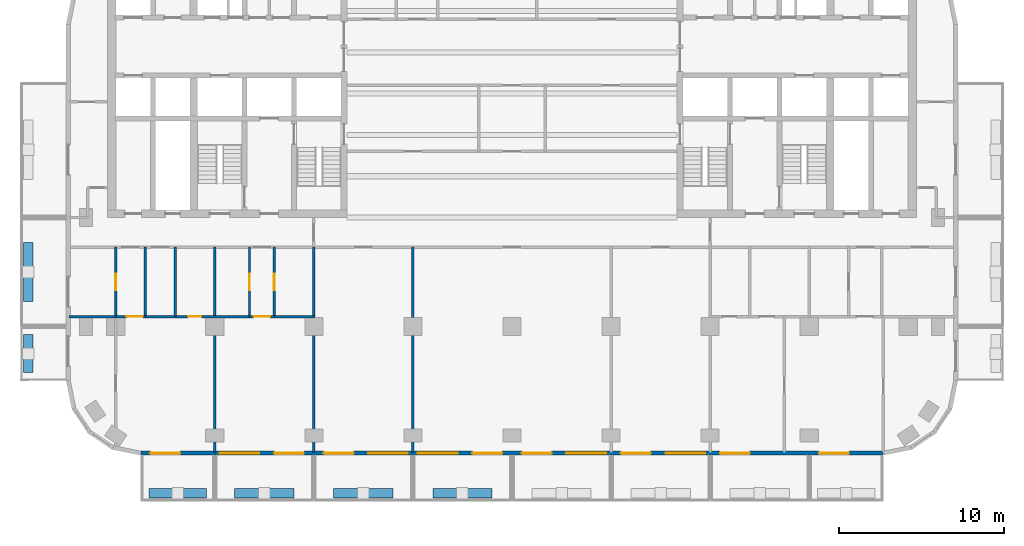
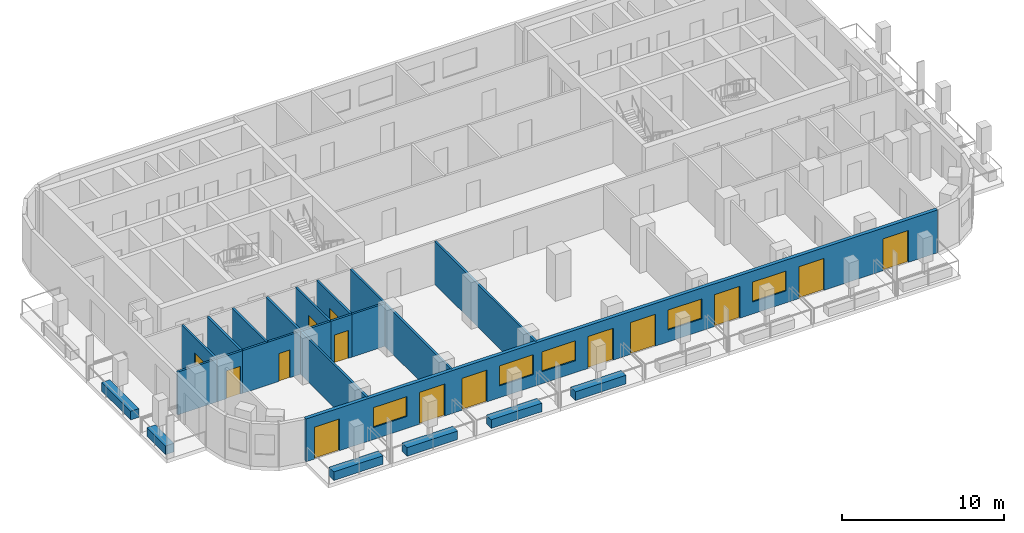
# One storey, part 2 of 11: 20 walls, 14 doors, 5 windows, 19 openings.
"""IFC4 building model written with IfcOpenShell, lengths in metres."""

from ifc_helpers import new_model, si_unit, direction, frame, frame_2d, origin, place, context, subcontext, project, spatial, rectangle, extrude, material, layer, layer_set, type_object, element, fill, save


model = new_model("IFC4")

# Units and contexts
model_context = context("Model", 3, precision=1e-05, world=origin(), true_north=direction((0.0, 1.0)))
body_context = subcontext(model_context, "Body", "Model", "MODEL_VIEW")
ifc_project = project(units=[si_unit("LENGTHUNIT", "METRE"), si_unit("AREAUNIT", "SQUARE_METRE"), si_unit("VOLUMEUNIT", "CUBIC_METRE"), si_unit("PLANEANGLEUNIT", "RADIAN"), si_unit("MASSUNIT", "GRAM", prefix="KILO")], contexts=[model_context])

# Site, building, storey
site_placement = place(None, origin())
site = spatial("IfcSite", under=ifc_project, at=site_placement, CompositionType="ELEMENT")
building_placement = place(site_placement, origin())
building = spatial("IfcBuilding", under=site, at=building_placement, Name="Torana Hotel and Residences", CompositionType="ELEMENT")
storey_placement = place(building_placement, frame((0.0, 0.0, 215.10009765625)))
storey = spatial("IfcBuildingStorey", under=building, at=storey_placement, Name="L56", CompositionType="ELEMENT", Elevation=215.10009765625)

# Wall, openings, doors, windows
ifc_material_1 = material(Name="Black aluminium composite panel", Category="aluminium")
ifc_layer_1 = layer(ifc_material_1, 0.00390625, Name="Cladding", Category="cladding")
ifc_material_2 = material(Name="Ventilated air cavity")
ifc_layer_2 = layer(ifc_material_2, 0.0400390625, Name="Ventilated cavity", Category="cavity")
ifc_material_3 = material(Name="Mineral wool insulation")
ifc_layer_3 = layer(ifc_material_3, 0.090087890625, Name="Insulation", Category="insulation")
ifc_material_4 = material(Name="Steel S280GD", Category="steel")
ifc_layer_4 = layer(ifc_material_4, 0.092041015625, Name="Steel stud frame", Category="structure")
ifc_material_5 = material(Name="Fire rated plasterboard")
ifc_layer_5 = layer(ifc_material_5, 0.011962890625, Name="Inner board", Category="finish")
ifc_layer_6 = layer(ifc_material_5, 0.011962890625, Name="Second board", Category="finish")
ifc_layer_set_1 = layer_set([ifc_layer_1, ifc_layer_2, ifc_layer_3, ifc_layer_4, ifc_layer_5, ifc_layer_6], Name="EW1 EXTERNAL WALL BLACK METAL CLAD 250")
wall_type_1 = type_object("IfcWallType", Name="EW1 EXTERNAL WALL BLACK METAL CLAD 250", PredefinedType="SOLIDWALL", material=ifc_layer_set_1)
wall_1_placement = place(storey_placement, frame((-22.475341796875, -29.27490234375, 0.0), z_axis=(0.0, 0.0, 1.0), x_axis=(1.0, 0.0, 0.0)))
wall_1 = element("IfcWall", 1, at=wall_1_placement, inside=storey, type_object=wall_type_1, Name="External wall L56 e0.14", PredefinedType="SOLIDWALL", context=body_context, shape_type="SweptSolid", body=[
    extrude(rectangle(XDim=44.95068359375, YDim=0.25, at=frame_2d((22.475341796875, 0.0))), origin(), (0.0, 0.0, 1.0), 3.219970703125),
])
opening_1_placement = place(wall_1_placement, frame((0.575439453125, 0.0, 0.0)))
opening_1 = element("IfcOpeningElement", 2, at=opening_1_placement, cuts=wall_1, Name="Opening L56-E01", PredefinedType="OPENING", context=body_context, shape_type="SweptSolid", body=[
    extrude(rectangle(XDim=1.800048828125, YDim=2.39990234375, at=frame_2d((0.89990234375, 1.199951171875))), frame((0.0, 0.135009765625, 0.0), z_axis=(0.0, -1.0, 0.0), x_axis=(1.0, 0.0, 0.0)), (0.0, 0.0, 1.0), 0.27001953125),
])
opening_2_placement = place(wall_1_placement, frame((4.775390625, 0.0, 0.89990234375)))
opening_2 = element("IfcOpeningElement", 3, at=opening_2_placement, cuts=wall_1, Name="Opening W3", PredefinedType="OPENING", context=body_context, shape_type="SweptSolid", body=[
    extrude(rectangle(XDim=2.39990234375, YDim=1.5, at=frame_2d((1.199951171875, 0.75))), frame((0.0, 0.135009765625, 0.0), z_axis=(0.0, -1.0, 0.0), x_axis=(1.0, 0.0, 0.0)), (0.0, 0.0, 1.0), 0.27001953125),
])
opening_3_placement = place(wall_1_placement, frame((8.075439453125, 0.0, 0.0)))
opening_3 = element("IfcOpeningElement", 4, at=opening_3_placement, cuts=wall_1, Name="Opening L56-E02", PredefinedType="OPENING", context=body_context, shape_type="SweptSolid", body=[
    extrude(rectangle(XDim=1.800048828125, YDim=2.39990234375, at=frame_2d((0.89990234375, 1.199951171875))), frame((0.0, 0.135009765625, 0.0), z_axis=(0.0, -1.0, 0.0), x_axis=(1.0, 0.0, 0.0)), (0.0, 0.0, 1.0), 0.27001953125),
])
opening_4_placement = place(wall_1_placement, frame((11.075439453125, 0.0, 0.0)))
opening_4 = element("IfcOpeningElement", 5, at=opening_4_placement, cuts=wall_1, Name="Opening L56-E03", PredefinedType="OPENING", context=body_context, shape_type="SweptSolid", body=[
    extrude(rectangle(XDim=1.800048828125, YDim=2.39990234375, at=frame_2d((0.89990234375, 1.199951171875))), frame((0.0, 0.135009765625, 0.0), z_axis=(0.0, -1.0, 0.0), x_axis=(1.0, 0.0, 0.0)), (0.0, 0.0, 1.0), 0.27001953125),
])
opening_5_placement = place(wall_1_placement, frame((13.775390625, 0.0, 0.89990234375)))
opening_5 = element("IfcOpeningElement", 6, at=opening_5_placement, cuts=wall_1, Name="Opening W3", PredefinedType="OPENING", context=body_context, shape_type="SweptSolid", body=[
    extrude(rectangle(XDim=2.39990234375, YDim=1.5, at=frame_2d((1.199951171875, 0.75))), frame((0.0, 0.135009765625, 0.0), z_axis=(0.0, -1.0, 0.0), x_axis=(1.0, 0.0, 0.0)), (0.0, 0.0, 1.0), 0.27001953125),
])
opening_6_placement = place(wall_1_placement, frame((16.775390625, 0.0, 0.89990234375)))
opening_6 = element("IfcOpeningElement", 7, at=opening_6_placement, cuts=wall_1, Name="Opening W3", PredefinedType="OPENING", context=body_context, shape_type="SweptSolid", body=[
    extrude(rectangle(XDim=2.39990234375, YDim=1.5, at=frame_2d((1.199951171875, 0.75))), frame((0.0, 0.135009765625, 0.0), z_axis=(0.0, -1.0, 0.0), x_axis=(1.0, 0.0, 0.0)), (0.0, 0.0, 1.0), 0.27001953125),
])
opening_7_placement = place(wall_1_placement, frame((20.075439453125, 0.0, 0.0)))
opening_7 = element("IfcOpeningElement", 8, at=opening_7_placement, cuts=wall_1, Name="Opening L56-E04", PredefinedType="OPENING", context=body_context, shape_type="SweptSolid", body=[
    extrude(rectangle(XDim=1.800048828125, YDim=2.39990234375, at=frame_2d((0.89990234375, 1.199951171875))), frame((0.0, 0.135009765625, 0.0), z_axis=(0.0, -1.0, 0.0), x_axis=(1.0, 0.0, 0.0)), (0.0, 0.0, 1.0), 0.27001953125),
])
opening_8_placement = place(wall_1_placement, frame((23.075439453125, 0.0, 0.0)))
opening_8 = element("IfcOpeningElement", 9, at=opening_8_placement, cuts=wall_1, Name="Opening L56-E05", PredefinedType="OPENING", context=body_context, shape_type="SweptSolid", body=[
    extrude(rectangle(XDim=1.800048828125, YDim=2.39990234375, at=frame_2d((0.89990234375, 1.199951171875))), frame((0.0, 0.135009765625, 0.0), z_axis=(0.0, -1.0, 0.0), x_axis=(1.0, 0.0, 0.0)), (0.0, 0.0, 1.0), 0.27001953125),
])
opening_9_placement = place(wall_1_placement, frame((25.775390625, 0.0, 0.89990234375)))
opening_9 = element("IfcOpeningElement", 10, at=opening_9_placement, cuts=wall_1, Name="Opening W3", PredefinedType="OPENING", context=body_context, shape_type="SweptSolid", body=[
    extrude(rectangle(XDim=2.39990234375, YDim=1.5, at=frame_2d((1.199951171875, 0.75))), frame((0.0, 0.135009765625, 0.0), z_axis=(0.0, -1.0, 0.0), x_axis=(1.0, 0.0, 0.0)), (0.0, 0.0, 1.0), 0.27001953125),
])
opening_10_placement = place(wall_1_placement, frame((29.075439453125, 0.0, 0.0)))
opening_10 = element("IfcOpeningElement", 11, at=opening_10_placement, cuts=wall_1, Name="Opening L56-E06", PredefinedType="OPENING", context=body_context, shape_type="SweptSolid", body=[
    extrude(rectangle(XDim=1.800048828125, YDim=2.39990234375, at=frame_2d((0.89990234375, 1.199951171875))), frame((0.0, 0.135009765625, 0.0), z_axis=(0.0, -1.0, 0.0), x_axis=(1.0, 0.0, 0.0)), (0.0, 0.0, 1.0), 0.27001953125),
])
opening_11_placement = place(wall_1_placement, frame((31.775390625, 0.0, 0.89990234375)))
opening_11 = element("IfcOpeningElement", 12, at=opening_11_placement, cuts=wall_1, Name="Opening W3", PredefinedType="OPENING", context=body_context, shape_type="SweptSolid", body=[
    extrude(rectangle(XDim=2.39990234375, YDim=1.5, at=frame_2d((1.199951171875, 0.75))), frame((0.0, 0.135009765625, 0.0), z_axis=(0.0, -1.0, 0.0), x_axis=(1.0, 0.0, 0.0)), (0.0, 0.0, 1.0), 0.27001953125),
])
opening_12_placement = place(wall_1_placement, frame((35.075439453125, 0.0, 0.0)))
opening_12 = element("IfcOpeningElement", 13, at=opening_12_placement, cuts=wall_1, Name="Opening L56-E07", PredefinedType="OPENING", context=body_context, shape_type="SweptSolid", body=[
    extrude(rectangle(XDim=1.800048828125, YDim=2.39990234375, at=frame_2d((0.89990234375, 1.199951171875))), frame((0.0, 0.135009765625, 0.0), z_axis=(0.0, -1.0, 0.0), x_axis=(1.0, 0.0, 0.0)), (0.0, 0.0, 1.0), 0.27001953125),
])
opening_13_placement = place(wall_1_placement, frame((41.075439453125, 0.0, 0.0)))
opening_13 = element("IfcOpeningElement", 14, at=opening_13_placement, cuts=wall_1, Name="Opening L56-E08", PredefinedType="OPENING", context=body_context, shape_type="SweptSolid", body=[
    extrude(rectangle(XDim=1.800048828125, YDim=2.39990234375, at=frame_2d((0.89990234375, 1.199951171875))), frame((0.0, 0.135009765625, 0.0), z_axis=(0.0, -1.0, 0.0), x_axis=(1.0, 0.0, 0.0)), (0.0, 0.0, 1.0), 0.27001953125),
])
ifc_material_6 = material(Name="Dark glass in black aluminium frame", Category="aluminium")
door_type_1 = type_object("IfcDoorType", Name="DB1 BALCONY DOOR 1800x2400", OperationType="DOUBLE_DOOR_SINGLE_SWING", PredefinedType="DOOR", material=ifc_material_6)
door_1_placement = place(opening_1_placement, origin())
door_1 = element("IfcDoor", 15, at=door_1_placement, inside=storey, type_object=door_type_1, Name="Balcony door L56", OperationType="DOUBLE_DOOR_SINGLE_SWING", OverallHeight=2.39990234375, OverallWidth=1.800048828125, PredefinedType="DOOR", context=body_context, shape_type="SweptSolid", body=[
    extrude(rectangle(XDim=1.800048828125, YDim=2.39990234375, at=frame_2d((0.89990234375, 1.199951171875))), frame((0.0, 0.02490234375, 0.0), z_axis=(0.0, -1.0, 0.0), x_axis=(1.0, 0.0, 0.0)), (0.0, 0.0, 1.0), 0.050048828125),
])
fill(opening_1, door_1)
door_2_placement = place(opening_3_placement, origin())
door_2 = element("IfcDoor", 16, at=door_2_placement, inside=storey, type_object=door_type_1, Name="Balcony door L56", OperationType="DOUBLE_DOOR_SINGLE_SWING", OverallHeight=2.39990234375, OverallWidth=1.800048828125, PredefinedType="DOOR", context=body_context, shape_type="SweptSolid", body=[
    extrude(rectangle(XDim=1.800048828125, YDim=2.39990234375, at=frame_2d((0.89990234375, 1.199951171875))), frame((0.0, 0.02490234375, 0.0), z_axis=(0.0, -1.0, 0.0), x_axis=(1.0, 0.0, 0.0)), (0.0, 0.0, 1.0), 0.050048828125),
])
fill(opening_3, door_2)
door_3_placement = place(opening_4_placement, origin())
door_3 = element("IfcDoor", 17, at=door_3_placement, inside=storey, type_object=door_type_1, Name="Balcony door L56", OperationType="DOUBLE_DOOR_SINGLE_SWING", OverallHeight=2.39990234375, OverallWidth=1.800048828125, PredefinedType="DOOR", context=body_context, shape_type="SweptSolid", body=[
    extrude(rectangle(XDim=1.800048828125, YDim=2.39990234375, at=frame_2d((0.89990234375, 1.199951171875))), frame((0.0, 0.02490234375, 0.0), z_axis=(0.0, -1.0, 0.0), x_axis=(1.0, 0.0, 0.0)), (0.0, 0.0, 1.0), 0.050048828125),
])
fill(opening_4, door_3)
door_4_placement = place(opening_7_placement, origin())
door_4 = element("IfcDoor", 18, at=door_4_placement, inside=storey, type_object=door_type_1, Name="Balcony door L56", OperationType="DOUBLE_DOOR_SINGLE_SWING", OverallHeight=2.39990234375, OverallWidth=1.800048828125, PredefinedType="DOOR", context=body_context, shape_type="SweptSolid", body=[
    extrude(rectangle(XDim=1.800048828125, YDim=2.39990234375, at=frame_2d((0.89990234375, 1.199951171875))), frame((0.0, 0.02490234375, 0.0), z_axis=(0.0, -1.0, 0.0), x_axis=(1.0, 0.0, 0.0)), (0.0, 0.0, 1.0), 0.050048828125),
])
fill(opening_7, door_4)
door_5_placement = place(opening_8_placement, origin())
door_5 = element("IfcDoor", 19, at=door_5_placement, inside=storey, type_object=door_type_1, Name="Balcony door L56", OperationType="DOUBLE_DOOR_SINGLE_SWING", OverallHeight=2.39990234375, OverallWidth=1.800048828125, PredefinedType="DOOR", context=body_context, shape_type="SweptSolid", body=[
    extrude(rectangle(XDim=1.800048828125, YDim=2.39990234375, at=frame_2d((0.89990234375, 1.199951171875))), frame((0.0, 0.02490234375, 0.0), z_axis=(0.0, -1.0, 0.0), x_axis=(1.0, 0.0, 0.0)), (0.0, 0.0, 1.0), 0.050048828125),
])
fill(opening_8, door_5)
door_6_placement = place(opening_10_placement, origin())
door_6 = element("IfcDoor", 20, at=door_6_placement, inside=storey, type_object=door_type_1, Name="Balcony door L56", OperationType="DOUBLE_DOOR_SINGLE_SWING", OverallHeight=2.39990234375, OverallWidth=1.800048828125, PredefinedType="DOOR", context=body_context, shape_type="SweptSolid", body=[
    extrude(rectangle(XDim=1.800048828125, YDim=2.39990234375, at=frame_2d((0.89990234375, 1.199951171875))), frame((0.0, 0.02490234375, 0.0), z_axis=(0.0, -1.0, 0.0), x_axis=(1.0, 0.0, 0.0)), (0.0, 0.0, 1.0), 0.050048828125),
])
fill(opening_10, door_6)
door_7_placement = place(opening_12_placement, origin())
door_7 = element("IfcDoor", 21, at=door_7_placement, inside=storey, type_object=door_type_1, Name="Balcony door L56", OperationType="DOUBLE_DOOR_SINGLE_SWING", OverallHeight=2.39990234375, OverallWidth=1.800048828125, PredefinedType="DOOR", context=body_context, shape_type="SweptSolid", body=[
    extrude(rectangle(XDim=1.800048828125, YDim=2.39990234375, at=frame_2d((0.89990234375, 1.199951171875))), frame((0.0, 0.02490234375, 0.0), z_axis=(0.0, -1.0, 0.0), x_axis=(1.0, 0.0, 0.0)), (0.0, 0.0, 1.0), 0.050048828125),
])
fill(opening_12, door_7)
door_8_placement = place(opening_13_placement, origin())
door_8 = element("IfcDoor", 22, at=door_8_placement, inside=storey, type_object=door_type_1, Name="Balcony door L56", OperationType="DOUBLE_DOOR_SINGLE_SWING", OverallHeight=2.39990234375, OverallWidth=1.800048828125, PredefinedType="DOOR", context=body_context, shape_type="SweptSolid", body=[
    extrude(rectangle(XDim=1.800048828125, YDim=2.39990234375, at=frame_2d((0.89990234375, 1.199951171875))), frame((0.0, 0.02490234375, 0.0), z_axis=(0.0, -1.0, 0.0), x_axis=(1.0, 0.0, 0.0)), (0.0, 0.0, 1.0), 0.050048828125),
])
fill(opening_13, door_8)
ifc_material_7 = material(Name="Dark glass in black aluminium frame", Category="aluminium")
window_type = type_object("IfcWindowType", Name="W3 RESIDENCE WINDOW 2400x1500", PartitioningType="SINGLE_PANEL", PredefinedType="WINDOW", material=ifc_material_7)
window_1_placement = place(opening_2_placement, origin())
window_1 = element("IfcWindow", 23, at=window_1_placement, inside=storey, type_object=window_type, Name="Window L56", OverallHeight=1.5, OverallWidth=2.39990234375, PartitioningType="SINGLE_PANEL", PredefinedType="WINDOW", context=body_context, shape_type="SweptSolid", body=[
    extrude(rectangle(XDim=2.39990234375, YDim=1.5, at=frame_2d((1.199951171875, 0.75))), frame((0.0, 0.030029296875, 0.0), z_axis=(0.0, -1.0, 0.0), x_axis=(1.0, 0.0, 0.0)), (0.0, 0.0, 1.0), 0.06005859375),
])
fill(opening_2, window_1)
window_2_placement = place(opening_5_placement, origin())
window_2 = element("IfcWindow", 24, at=window_2_placement, inside=storey, type_object=window_type, Name="Window L56", OverallHeight=1.5, OverallWidth=2.39990234375, PartitioningType="SINGLE_PANEL", PredefinedType="WINDOW", context=body_context, shape_type="SweptSolid", body=[
    extrude(rectangle(XDim=2.39990234375, YDim=1.5, at=frame_2d((1.199951171875, 0.75))), frame((0.0, 0.030029296875, 0.0), z_axis=(0.0, -1.0, 0.0), x_axis=(1.0, 0.0, 0.0)), (0.0, 0.0, 1.0), 0.06005859375),
])
fill(opening_5, window_2)
window_3_placement = place(opening_6_placement, origin())
window_3 = element("IfcWindow", 25, at=window_3_placement, inside=storey, type_object=window_type, Name="Window L56", OverallHeight=1.5, OverallWidth=2.39990234375, PartitioningType="SINGLE_PANEL", PredefinedType="WINDOW", context=body_context, shape_type="SweptSolid", body=[
    extrude(rectangle(XDim=2.39990234375, YDim=1.5, at=frame_2d((1.199951171875, 0.75))), frame((0.0, 0.030029296875, 0.0), z_axis=(0.0, -1.0, 0.0), x_axis=(1.0, 0.0, 0.0)), (0.0, 0.0, 1.0), 0.06005859375),
])
fill(opening_6, window_3)
window_4_placement = place(opening_9_placement, origin())
window_4 = element("IfcWindow", 26, at=window_4_placement, inside=storey, type_object=window_type, Name="Window L56", OverallHeight=1.5, OverallWidth=2.39990234375, PartitioningType="SINGLE_PANEL", PredefinedType="WINDOW", context=body_context, shape_type="SweptSolid", body=[
    extrude(rectangle(XDim=2.39990234375, YDim=1.5, at=frame_2d((1.199951171875, 0.75))), frame((0.0, 0.030029296875, 0.0), z_axis=(0.0, -1.0, 0.0), x_axis=(1.0, 0.0, 0.0)), (0.0, 0.0, 1.0), 0.06005859375),
])
fill(opening_9, window_4)
window_5_placement = place(opening_11_placement, origin())
window_5 = element("IfcWindow", 27, at=window_5_placement, inside=storey, type_object=window_type, Name="Window L56", OverallHeight=1.5, OverallWidth=2.39990234375, PartitioningType="SINGLE_PANEL", PredefinedType="WINDOW", context=body_context, shape_type="SweptSolid", body=[
    extrude(rectangle(XDim=2.39990234375, YDim=1.5, at=frame_2d((1.199951171875, 0.75))), frame((0.0, 0.030029296875, 0.0), z_axis=(0.0, -1.0, 0.0), x_axis=(1.0, 0.0, 0.0)), (0.0, 0.0, 1.0), 0.06005859375),
])
fill(opening_11, window_5)

# Wall, opening, door
ifc_material_8 = material(Name="Gypsum plaster")
ifc_layer_7 = layer(ifc_material_8, 0.014892578125, Name="Plaster", Category="finish")
ifc_material_9 = material(Name="Concrete blockwork", Category="masonry")
ifc_layer_8 = layer(ifc_material_9, 0.1201171875, Name="Blockwork", Category="structure")
ifc_layer_9 = layer(ifc_material_8, 0.014892578125, Name="Plaster", Category="finish")
ifc_layer_set_2 = layer_set([ifc_layer_7, ifc_layer_8, ifc_layer_9], Name="FIRE PARTITION 150 BLOCKWORK")
wall_type_2 = type_object("IfcWallType", Name="FIRE PARTITION 150 BLOCKWORK", PredefinedType="PARTITIONING", material=ifc_layer_set_2)
wall_2_placement = place(storey_placement, frame((-14.39990234375, -21.0, 0.0), z_axis=(0.0, 0.0, 1.0), x_axis=(0.0, 1.0, 0.0)))
wall_2 = element("IfcWall", 28, at=wall_2_placement, inside=storey, type_object=wall_type_2, Name="Partition L56", PredefinedType="PARTITIONING", context=body_context, shape_type="SweptSolid", body=[
    extrude(rectangle(XDim=4.199951171875, YDim=0.14990234375, at=frame_2d((2.10009765625, 0.0))), origin(), (0.0, 0.0, 1.0), 3.219970703125),
])
opening_14_placement = place(wall_2_placement, frame((1.60009765625, 0.0, 0.0)))
opening_14 = element("IfcOpeningElement", 29, at=opening_14_placement, cuts=wall_2, Name="Opening L56-52", PredefinedType="OPENING", context=body_context, shape_type="SweptSolid", body=[
    extrude(rectangle(XDim=1.0, YDim=2.10009765625, at=frame_2d((0.5, 1.050048828125))), frame((0.0, 0.0849609375, 0.0), z_axis=(0.0, -1.0, 0.0), x_axis=(1.0, 0.0, 0.0)), (0.0, 0.0, 1.0), 0.169921875),
])
ifc_material_10 = material(Name="Steel S235", Category="steel")
door_type_2 = type_object("IfcDoorType", Name="ENTRY FIRE DOOR D6 1000x2100", OperationType="SINGLE_SWING_LEFT", PredefinedType="DOOR", material=ifc_material_10)
door_9_placement = place(opening_14_placement, frame((0.5, 0.0, 0.0), z_axis=(0.0, 0.0, 1.0), x_axis=(-1.0, 0.0, 0.0)))
door_9 = element("IfcDoor", 30, at=door_9_placement, inside=storey, type_object=door_type_2, Name="Door L56", OperationType="SINGLE_SWING_LEFT", OverallHeight=2.10009765625, OverallWidth=1.0, PredefinedType="DOOR", context=body_context, shape_type="SweptSolid", body=[
    extrude(rectangle(XDim=1.0, YDim=2.10009765625, at=frame_2d((0.0, 1.050048828125))), frame((0.0, -0.02490234375, 0.0), z_axis=(0.0, 1.0, 0.0), x_axis=(-1.0, 0.0, 0.0)), (0.0, 0.0, 1.0), 0.050048828125),
])
fill(opening_14, door_9)

wall_3_placement = place(storey_placement, frame((-15.89990234375, -21.0, 0.0), z_axis=(0.0, 0.0, 1.0), x_axis=(0.0, 1.0, 0.0)))
wall_3 = element("IfcWall", 31, at=wall_3_placement, inside=storey, type_object=wall_type_2, Name="Partition L56", PredefinedType="PARTITIONING", context=body_context, shape_type="SweptSolid", body=[
    extrude(rectangle(XDim=4.199951171875, YDim=0.14990234375, at=frame_2d((2.10009765625, 0.0))), origin(), (0.0, 0.0, 1.0), 3.219970703125),
])
opening_15_placement = place(wall_3_placement, frame((1.60009765625, 0.0, 0.0)))
opening_15 = element("IfcOpeningElement", 32, at=opening_15_placement, cuts=wall_3, Name="Opening L56-51", PredefinedType="OPENING", context=body_context, shape_type="SweptSolid", body=[
    extrude(rectangle(XDim=1.0, YDim=2.10009765625, at=frame_2d((0.5, 1.050048828125))), frame((0.0, 0.0849609375, 0.0), z_axis=(0.0, -1.0, 0.0), x_axis=(1.0, 0.0, 0.0)), (0.0, 0.0, 1.0), 0.169921875),
])
door_10_placement = place(opening_15_placement, origin())
door_10 = element("IfcDoor", 33, at=door_10_placement, inside=storey, type_object=door_type_2, Name="Door L56", OperationType="SINGLE_SWING_RIGHT", OverallHeight=2.10009765625, OverallWidth=1.0, PredefinedType="DOOR", context=body_context, shape_type="SweptSolid", body=[
    extrude(rectangle(XDim=1.0, YDim=2.10009765625, at=frame_2d((0.5, 1.050048828125))), frame((0.0, 0.02490234375, 0.0), z_axis=(0.0, -1.0, 0.0), x_axis=(1.0, 0.0, 0.0)), (0.0, 0.0, 1.0), 0.050048828125),
])
fill(opening_15, door_10)

# Wall
wall_4_placement = place(storey_placement, frame((-22.199951171875, -21.0, 0.0), z_axis=(0.0, 0.0, 1.0), x_axis=(0.0, 1.0, 0.0)))
element("IfcWall", 34, at=wall_4_placement, inside=storey, type_object=wall_type_2, Name="Partition L56", PredefinedType="PARTITIONING", context=body_context, shape_type="SweptSolid", body=[
    extrude(rectangle(XDim=4.199951171875, YDim=0.14990234375, at=frame_2d((2.10009765625, 0.0))), origin(), (0.0, 0.0, 1.0), 3.219970703125),
])

# Wall, opening, door
wall_5_placement = place(storey_placement, frame((-24.0, -21.0, 0.0), z_axis=(0.0, 0.0, 1.0), x_axis=(0.0, 1.0, 0.0)))
wall_5 = element("IfcWall", 35, at=wall_5_placement, inside=storey, type_object=wall_type_2, Name="Partition L56", PredefinedType="PARTITIONING", context=body_context, shape_type="SweptSolid", body=[
    extrude(rectangle(XDim=4.199951171875, YDim=0.14990234375, at=frame_2d((2.10009765625, 0.0))), origin(), (0.0, 0.0, 1.0), 3.219970703125),
])
opening_16_placement = place(wall_5_placement, frame((1.580078125, 0.0, 0.0)))
opening_16 = element("IfcOpeningElement", 36, at=opening_16_placement, cuts=wall_5, Name="Opening L56-55", PredefinedType="OPENING", context=body_context, shape_type="SweptSolid", body=[
    extrude(rectangle(XDim=1.0, YDim=2.10009765625, at=frame_2d((0.5, 1.050048828125))), frame((0.0, 0.0849609375, 0.0), z_axis=(0.0, -1.0, 0.0), x_axis=(1.0, 0.0, 0.0)), (0.0, 0.0, 1.0), 0.169921875),
])
door_11_placement = place(opening_16_placement, origin())
door_11 = element("IfcDoor", 37, at=door_11_placement, inside=storey, type_object=door_type_2, Name="Door L56", OperationType="SINGLE_SWING_RIGHT", OverallHeight=2.10009765625, OverallWidth=1.0, PredefinedType="DOOR", context=body_context, shape_type="SweptSolid", body=[
    extrude(rectangle(XDim=1.0, YDim=2.10009765625, at=frame_2d((0.5, 1.050048828125))), frame((0.0, 0.02490234375, 0.0), z_axis=(0.0, -1.0, 0.0), x_axis=(1.0, 0.0, 0.0)), (0.0, 0.0, 1.0), 0.050048828125),
])
fill(opening_16, door_11)

wall_6_placement = place(storey_placement, frame((-24.0, -21.0, 0.0), z_axis=(0.0, 0.0, 1.0), x_axis=(1.0, 0.0, 0.0)))
wall_6 = element("IfcWall", 38, at=wall_6_placement, inside=storey, type_object=wall_type_2, Name="Partition L56", PredefinedType="PARTITIONING", context=body_context, shape_type="SweptSolid", body=[
    extrude(rectangle(XDim=1.800048828125, YDim=0.14990234375, at=frame_2d((0.89990234375, 0.0))), origin(), (0.0, 0.0, 1.0), 3.219970703125),
])
opening_17_placement = place(wall_6_placement, frame((0.64990234375, 0.0, 0.0)))
opening_17 = element("IfcOpeningElement", 39, at=opening_17_placement, cuts=wall_6, Name="Opening L56-56", PredefinedType="OPENING", context=body_context, shape_type="SweptSolid", body=[
    extrude(rectangle(XDim=1.0, YDim=2.10009765625, at=frame_2d((0.5, 1.050048828125))), frame((0.0, 0.0849609375, 0.0), z_axis=(0.0, -1.0, 0.0), x_axis=(1.0, 0.0, 0.0)), (0.0, 0.0, 1.0), 0.169921875),
])
door_12_placement = place(opening_17_placement, frame((0.5, 0.0, 0.0), z_axis=(0.0, 0.0, 1.0), x_axis=(-1.0, 0.0, 0.0)))
door_12 = element("IfcDoor", 40, at=door_12_placement, inside=storey, type_object=door_type_2, Name="Door L56", OperationType="SINGLE_SWING_LEFT", OverallHeight=2.10009765625, OverallWidth=1.0, PredefinedType="DOOR", context=body_context, shape_type="SweptSolid", body=[
    extrude(rectangle(XDim=1.0, YDim=2.10009765625, at=frame_2d((0.0, 1.050048828125))), frame((0.0, -0.02490234375, 0.0), z_axis=(0.0, 1.0, 0.0), x_axis=(-1.0, 0.0, 0.0)), (0.0, 0.0, 1.0), 0.050048828125),
])
fill(opening_17, door_12)

wall_7_placement = place(storey_placement, frame((-15.89990234375, -21.0, 0.0), z_axis=(0.0, 0.0, 1.0), x_axis=(1.0, 0.0, 0.0)))
wall_7 = element("IfcWall", 41, at=wall_7_placement, inside=storey, type_object=wall_type_2, Name="Partition L56", PredefinedType="PARTITIONING", context=body_context, shape_type="SweptSolid", body=[
    extrude(rectangle(XDim=1.5, YDim=0.14990234375, at=frame_2d((0.75, 0.0))), origin(), (0.0, 0.0, 1.0), 3.219970703125),
])
opening_18_placement = place(wall_7_placement, frame((0.25, 0.0, 0.0)))
opening_18 = element("IfcOpeningElement", 42, at=opening_18_placement, cuts=wall_7, Name="Opening L56-53", PredefinedType="OPENING", context=body_context, shape_type="SweptSolid", body=[
    extrude(rectangle(XDim=1.0, YDim=2.10009765625, at=frame_2d((0.5, 1.050048828125))), frame((0.0, 0.0849609375, 0.0), z_axis=(0.0, -1.0, 0.0), x_axis=(1.0, 0.0, 0.0)), (0.0, 0.0, 1.0), 0.169921875),
])
door_13_placement = place(opening_18_placement, frame((0.5, 0.0, 0.0), z_axis=(0.0, 0.0, 1.0), x_axis=(-1.0, 0.0, 0.0)))
door_13 = element("IfcDoor", 43, at=door_13_placement, inside=storey, type_object=door_type_2, Name="Door L56", OperationType="SINGLE_SWING_LEFT", OverallHeight=2.10009765625, OverallWidth=1.0, PredefinedType="DOOR", context=body_context, shape_type="SweptSolid", body=[
    extrude(rectangle(XDim=1.0, YDim=2.10009765625, at=frame_2d((0.0, 1.050048828125))), frame((0.0, -0.02490234375, 0.0), z_axis=(0.0, 1.0, 0.0), x_axis=(-1.0, 0.0, 0.0)), (0.0, 0.0, 1.0), 0.050048828125),
])
fill(opening_18, door_13)

# Walls
ifc_material_11 = material(Name="Gypsum plasterboard")
ifc_layer_10 = layer(ifc_material_11, 0.012451171875, Name="Plasterboard", Category="finish")
ifc_layer_11 = layer(ifc_material_11, 0.012451171875, Name="Plasterboard", Category="finish")
ifc_layer_12 = layer(ifc_material_4, 0.10009765625, Name="Steel studs with mineral wool", Category="insulation")
ifc_layer_13 = layer(ifc_material_11, 0.012451171875, Name="Plasterboard", Category="finish")
ifc_layer_14 = layer(ifc_material_11, 0.012451171875, Name="Plasterboard", Category="finish")
ifc_layer_set_3 = layer_set([ifc_layer_10, ifc_layer_11, ifc_layer_12, ifc_layer_13, ifc_layer_14], Name="PARTITION 150 PLASTERBOARD")
wall_type_3 = type_object("IfcWallType", Name="PARTITION 150 PLASTERBOARD", PredefinedType="PARTITIONING", material=ifc_layer_set_3)
for number, where, z_axis, x_axis, name in (
    (44, (-6.0, -29.219970703125, 0.0), (0.0, 0.0, 1.0), (0.0, 1.0, 0.0), "Partition L56"),
    (45, (-12.0, -29.219970703125, 0.0), (0.0, 0.0, 1.0), (0.0, 1.0, 0.0), "Partition L56"),
    (46, (-18.0, -29.219970703125, 0.0), (0.0, 0.0, 1.0), (0.0, 1.0, 0.0), "Partition L56"),
):
    element("IfcWall", number, at=place(storey_placement, frame(where, z_axis=z_axis, x_axis=x_axis)), inside=storey, type_object=wall_type_3, Name=name, PredefinedType="PARTITIONING", context=body_context, shape_type="SweptSolid", body=[
        extrude(rectangle(XDim=12.419921875, YDim=0.14990234375, at=frame_2d((6.2099609375, 0.0))), origin(), (0.0, 0.0, 1.0), 3.219970703125),
    ])
wall_8_placement = place(storey_placement, frame((-20.39990234375, -21.0, 0.0), z_axis=(0.0, 0.0, 1.0), x_axis=(0.0, 1.0, 0.0)))
element("IfcWall", 47, at=wall_8_placement, inside=storey, type_object=wall_type_3, Name="Partition L56", PredefinedType="PARTITIONING", context=body_context, shape_type="SweptSolid", body=[
    extrude(rectangle(XDim=4.199951171875, YDim=0.14990234375, at=frame_2d((2.10009765625, 0.0))), origin(), (0.0, 0.0, 1.0), 3.219970703125),
])
wall_9_placement = place(storey_placement, frame((-26.820068359375, -21.0, 0.0), z_axis=(0.0, 0.0, 1.0), x_axis=(1.0, 0.0, 0.0)))
element("IfcWall", 48, at=wall_9_placement, inside=storey, type_object=wall_type_3, Name="Partition L56", PredefinedType="PARTITIONING", context=body_context, shape_type="SweptSolid", body=[
    extrude(rectangle(XDim=2.820068359375, YDim=0.14990234375, at=frame_2d((1.41015625, 0.0))), origin(), (0.0, 0.0, 1.0), 3.219970703125),
])

# Wall, opening, door
wall_10_placement = place(storey_placement, frame((-22.199951171875, -21.0, 0.0), z_axis=(0.0, 0.0, 1.0), x_axis=(1.0, 0.0, 0.0)))
wall_10 = element("IfcWall", 49, at=wall_10_placement, inside=storey, type_object=wall_type_3, Name="Partition L56", PredefinedType="PARTITIONING", context=body_context, shape_type="SweptSolid", body=[
    extrude(rectangle(XDim=6.300048828125, YDim=0.14990234375, at=frame_2d((3.14990234375, 0.0))), origin(), (0.0, 0.0, 1.0), 3.219970703125),
])
opening_19_placement = place(wall_10_placement, frame((2.580078125, 0.0, 0.0)))
opening_19 = element("IfcOpeningElement", 50, at=opening_19_placement, cuts=wall_10, Name="Opening L56-54", PredefinedType="OPENING", context=body_context, shape_type="SweptSolid", body=[
    extrude(rectangle(XDim=0.800048828125, YDim=2.10009765625, at=frame_2d((0.39990234375, 1.050048828125))), frame((0.0, 0.0849609375, 0.0), z_axis=(0.0, -1.0, 0.0), x_axis=(1.0, 0.0, 0.0)), (0.0, 0.0, 1.0), 0.169921875),
])
ifc_material_12 = material(Name="Timber door, painted", Category="wood")
door_type_3 = type_object("IfcDoorType", Name="BATH DOOR D13 800x2100", OperationType="SINGLE_SWING_LEFT", PredefinedType="DOOR", material=ifc_material_12)
door_14_placement = place(opening_19_placement, origin())
door_14 = element("IfcDoor", 51, at=door_14_placement, inside=storey, type_object=door_type_3, Name="Door L56", OperationType="SINGLE_SWING_RIGHT", OverallHeight=2.10009765625, OverallWidth=0.800048828125, PredefinedType="DOOR", context=body_context, shape_type="SweptSolid", body=[
    extrude(rectangle(XDim=0.800048828125, YDim=2.10009765625, at=frame_2d((0.39990234375, 1.050048828125))), frame((0.0, 0.02490234375, 0.0), z_axis=(0.0, -1.0, 0.0), x_axis=(1.0, 0.0, 0.0)), (0.0, 0.0, 1.0), 0.050048828125),
])
fill(opening_19, door_14)

# Walls
wall_11_placement = place(storey_placement, frame((-14.39990234375, -21.0, 0.0), z_axis=(0.0, 0.0, 1.0), x_axis=(1.0, 0.0, 0.0)))
element("IfcWall", 52, at=wall_11_placement, inside=storey, type_object=wall_type_3, Name="Partition L56", PredefinedType="PARTITIONING", context=body_context, shape_type="SweptSolid", body=[
    extrude(rectangle(XDim=2.39990234375, YDim=0.14990234375, at=frame_2d((1.199951171875, 0.0))), origin(), (0.0, 0.0, 1.0), 3.219970703125),
])
ifc_material_13 = material(Name="Concrete C40/50 precast", Category="concrete")
ifc_layer_15 = layer(ifc_material_13, 0.10009765625, Name="Planter shell", Category="structure")
ifc_material_14 = material(Name="Root resistant membrane")
ifc_layer_16 = layer(ifc_material_14, 0.00390625, Name="Waterproofing membrane", Category="membrane")
ifc_material_15 = material(Name="Drainage board with filter fleece")
ifc_layer_17 = layer(ifc_material_15, 0.02001953125, Name="Drainage board", Category="drainage")
ifc_material_16 = material(Name="Growing medium")
ifc_layer_18 = layer(ifc_material_16, 0.47607421875, Name="Planting substrate", Category="soil")
ifc_layer_set_4 = layer_set([ifc_layer_15, ifc_layer_16, ifc_layer_17, ifc_layer_18], Name="PL1 BALCONY PLANTER 600")
wall_type_4 = type_object("IfcWallType", Name="PL1 BALCONY PLANTER 600", PredefinedType="USERDEFINED", material=ifc_layer_set_4)
wall_12_placement = place(storey_placement, frame((-18.5, -31.699951171875, 0.0), z_axis=(0.0, 0.0, 1.0), x_axis=(-1.0, 0.0, 0.0)))
element("IfcWall", 53, at=wall_12_placement, inside=storey, type_object=wall_type_4, Name="Planter 01", ObjectType="PLANTER", PredefinedType="USERDEFINED", context=body_context, shape_type="SweptSolid", body=[
    extrude(rectangle(XDim=3.5, YDim=0.60009765625, at=frame_2d((1.75, 0.0))), origin(), (0.0, 0.0, 1.0), 0.64990234375),
])
for number, where, z_axis, x_axis, name in (
    (54, (-13.199951171875, -31.699951171875, 0.0), (0.0, 0.0, 1.0), (-1.0, 0.0, 0.0), "Planter 02"),
    (55, (-7.199951171875, -31.699951171875, 0.0), (0.0, 0.0, 1.0), (-1.0, 0.0, 0.0), "Planter 03"),
    (56, (-1.199951171875, -31.699951171875, 0.0), (0.0, 0.0, 1.0), (-1.0, 0.0, 0.0), "Planter 04"),
):
    element("IfcWall", number, at=place(storey_placement, frame(where, z_axis=z_axis, x_axis=x_axis)), inside=storey, type_object=wall_type_4, Name=name, ObjectType="PLANTER", PredefinedType="USERDEFINED", context=body_context, shape_type="SweptSolid", body=[
        extrude(rectangle(XDim=3.60009765625, YDim=0.60009765625, at=frame_2d((1.800048828125, 0.0))), origin(), (0.0, 0.0, 1.0), 0.64990234375),
    ])
wall_13_placement = place(storey_placement, frame((-29.300048828125, -24.39990234375, 0.0), z_axis=(0.0, 0.0, 1.0), x_axis=(0.0, 1.0, 0.0)))
element("IfcWall", 57, at=wall_13_placement, inside=storey, type_object=wall_type_4, Name="Planter 09", ObjectType="PLANTER", PredefinedType="USERDEFINED", context=body_context, shape_type="SweptSolid", body=[
    extrude(rectangle(XDim=2.2998046875, YDim=0.60009765625, at=frame_2d((1.14990234375, 0.0))), origin(), (0.0, 0.0, 1.0), 0.64990234375),
])
wall_14_placement = place(storey_placement, frame((-29.300048828125, -20.10009765625, 0.0), z_axis=(0.0, 0.0, 1.0), x_axis=(0.0, 1.0, 0.0)))
element("IfcWall", 58, at=wall_14_placement, inside=storey, type_object=wall_type_4, Name="Planter 10", ObjectType="PLANTER", PredefinedType="USERDEFINED", context=body_context, shape_type="SweptSolid", body=[
    extrude(rectangle(XDim=3.60009765625, YDim=0.60009765625, at=frame_2d((1.800048828125, 0.0))), origin(), (0.0, 0.0, 1.0), 0.64990234375),
])

save(model, "model.ifc")
